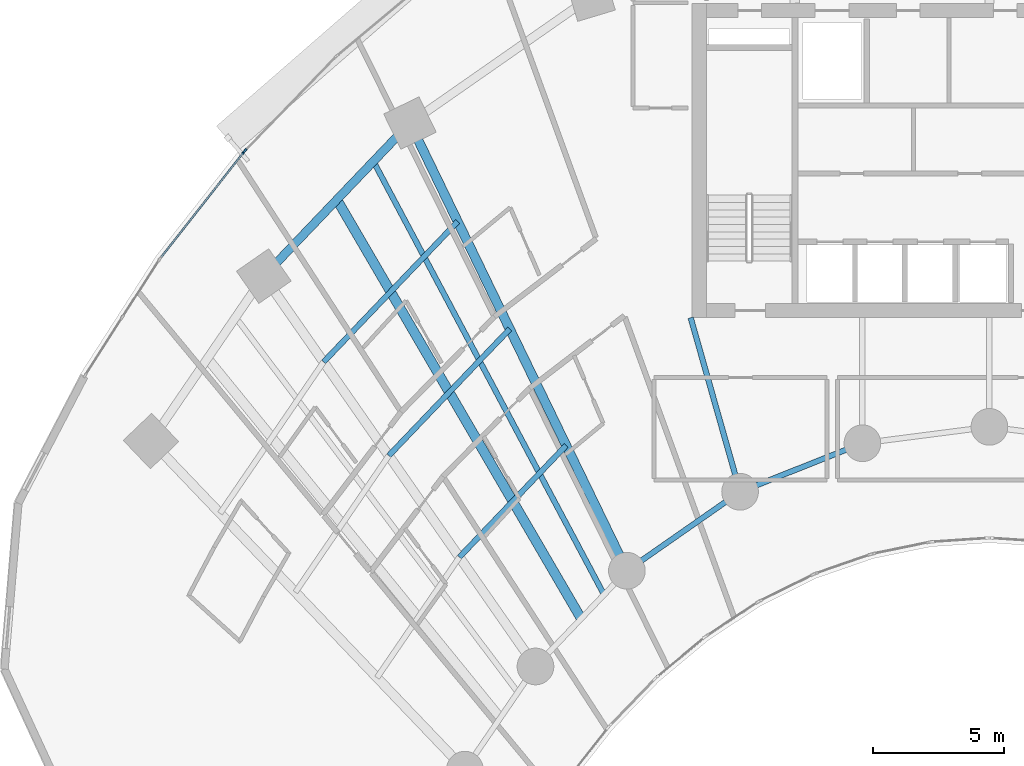
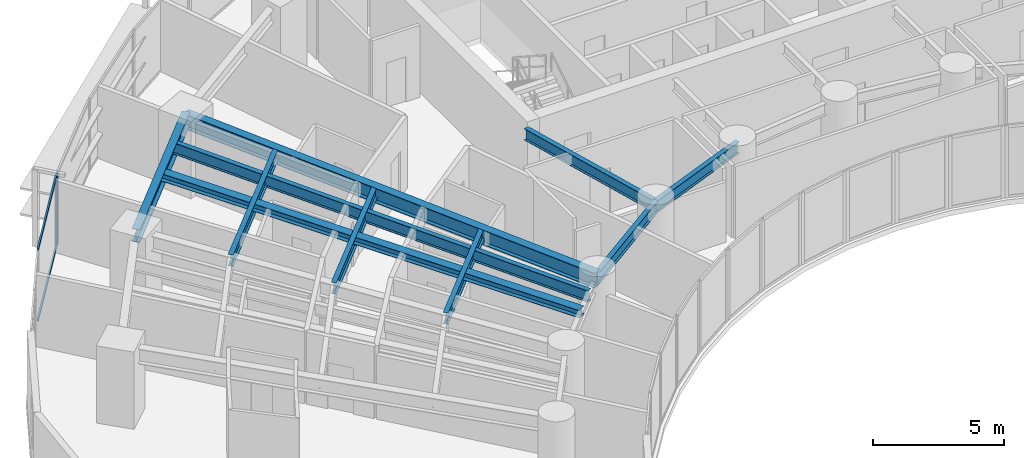
# One storey, part 3 of 18: 10 beams, 4 members, 2 elements without a shape of their own.
"""IFC4 building model written with IfcOpenShell, lengths in metres."""

import ifcopenshell
import ifcopenshell.guid

model = None  # the IFC model being written
_history = None  # IfcOwnerHistory: only IFC2X3 demands one
_inside = {}  # id of a spatial element -> (the spatial element, [elements in it])
_under = {}  # id of a project, library or spatial element -> (it, [spatial elements below it])
_declared = {}  # id of a project -> (the project, [libraries it declares])
_typed = {}  # id of a type object -> (the type object, [elements of that type])
_made_of = {}  # id of a material, layer set ... -> (it, [elements and type objects made of it])


def new_model(schema):
    """Start an empty IFC model of exactly this schema.

    Asked for "IFC4X3", IfcOpenShell would pick the latest addendum, in which some entities
    have other attributes; the version numbers below select the first issue.
    IFC2X3 requires an IfcOwnerHistory on every rooted entity: one is made here for all.
    """
    global model, _history
    if schema == "IFC4X3":
        model = ifcopenshell.file(schema_version=(4, 3, 0, 0))
    else:
        model = ifcopenshell.file(schema=schema)
    _inside.clear()
    _under.clear()
    _declared.clear()
    _typed.clear()
    _made_of.clear()
    _history = None
    if model.schema == "IFC2X3":
        org = make("IfcOrganization", Name="unknown")
        user = make(
            "IfcPersonAndOrganization",
            ThePerson=make("IfcPerson", FamilyName="unknown"),
            TheOrganization=org,
        )
        app = make(
            "IfcApplication",
            ApplicationDeveloper=org,
            Version="unknown",
            ApplicationFullName="unknown",
            ApplicationIdentifier="unknown",
        )
        _history = make(
            "IfcOwnerHistory",
            OwningUser=user,
            OwningApplication=app,
            ChangeAction="ADDED",
            CreationDate=0,
        )
    return model


def make(cls, **values):
    """One entity of the class cls with the attributes given. An attribute that is None is left unset."""
    return model.create_entity(
        cls, **{name: value for name, value in values.items() if value is not None}
    )


def rooted(cls, **values):
    """An entity with a GlobalId (a new one), such as an element, a storey or a relation."""
    return make(cls, GlobalId=ifcopenshell.guid.new(), OwnerHistory=_history, **values)


def si_unit(unit_type, name, prefix=None):
    """IfcSIUnit, for example si_unit("LENGTHUNIT", "METRE", prefix="MILLI")."""
    return make("IfcSIUnit", UnitType=unit_type, Prefix=prefix, Name=name)


def assignment(units):
    """IfcUnitAssignment: the units of a project."""
    return None if units is None else make("IfcUnitAssignment", Units=units)


def point(xyz):
    """IfcCartesianPoint."""
    return None if xyz is None else make("IfcCartesianPoint", Coordinates=xyz)


def direction(xyz):
    """IfcDirection."""
    return None if xyz is None else make("IfcDirection", DirectionRatios=xyz)


def frame(location, z_axis=None, x_axis=None):
    """IfcAxis2Placement3D, a coordinate frame: its origin and axes. An axis left out is left unset."""
    return make(
        "IfcAxis2Placement3D",
        Location=point(location),
        Axis=direction(z_axis),
        RefDirection=direction(x_axis),
    )


def frame_2d(location, x_axis=None):
    """IfcAxis2Placement2D, a coordinate frame in the plane: its origin and x axis."""
    return make(
        "IfcAxis2Placement2D", Location=point(location), RefDirection=direction(x_axis)
    )


def origin():
    """The frame at (0, 0, 0) with its axes left unset."""
    return frame((0.0, 0.0, 0.0))


def origin_2d():
    """The frame at (0, 0) in the plane with its x axis left unset."""
    return frame_2d((0.0, 0.0))


def place(relative_to, where):
    """IfcLocalPlacement: puts the frame where relative to a parent placement (None: the world)."""
    return make(
        "IfcLocalPlacement", PlacementRelTo=relative_to, RelativePlacement=where
    )


def context(
    kind, dimensions, precision=None, world=None, true_north=None, identifier=None
):
    """IfcGeometricRepresentationContext, for example the 3D "Model" context."""
    return make(
        "IfcGeometricRepresentationContext",
        ContextIdentifier=identifier,
        ContextType=kind,
        CoordinateSpaceDimension=dimensions,
        Precision=precision,
        WorldCoordinateSystem=world,
        TrueNorth=true_north,
    )


def subcontext(parent, identifier, kind, view, scale=None):
    """IfcGeometricRepresentationSubContext, for example "Body" below "Model"."""
    return make(
        "IfcGeometricRepresentationSubContext",
        ContextIdentifier=identifier,
        ContextType=kind,
        ParentContext=parent,
        TargetScale=scale,
        TargetView=view,
    )


def project(units=None, contexts=None):
    """IfcProject with its units and contexts."""
    return rooted(
        "IfcProject",
        Name="project",
        RepresentationContexts=contexts,
        UnitsInContext=assignment(units),
    )


def spatial(cls, under=None, at=None, **own):
    """A site, building, storey or space (cls), placed at a placement, below another one or the project."""
    s = rooted(cls, ObjectPlacement=at, **own)
    if under is not None:
        _under.setdefault(under.id(), (under, []))[1].append(s)
    return s


def profile(cls, at=None, kind="AREA", **sizes):
    """A parametric profile (cls). Its sizes go by their IFC names, for example OverallWidth=200.0."""
    return make(cls, ProfileType=kind, Position=at, **sizes)


def rectangle(**sizes):
    """IfcRectangleProfileDef."""
    return profile("IfcRectangleProfileDef", **sizes)


def i_section(**sizes):
    """IfcIShapeProfileDef."""
    return profile("IfcIShapeProfileDef", **sizes)


def extrude(swept, where, along, depth):
    """IfcExtrudedAreaSolid: the profile swept, set in the frame where, extruded along a direction by depth."""
    return make(
        "IfcExtrudedAreaSolid",
        SweptArea=swept,
        Position=where,
        ExtrudedDirection=direction(along),
        Depth=depth,
    )


def shape(context_of_items, identifier, shape_type, items):
    """IfcShapeRepresentation: the items that make up one representation, for example the "Body"."""
    return make(
        "IfcShapeRepresentation",
        ContextOfItems=context_of_items,
        RepresentationIdentifier=identifier,
        RepresentationType=shape_type,
        Items=items,
    )


def source(mapping_origin, context_of_items, identifier, shape_type, items):
    """IfcRepresentationMap: a shape defined once, which mapped items show again and again."""
    return make(
        "IfcRepresentationMap",
        MappingOrigin=mapping_origin,
        MappedRepresentation=shape(context_of_items, identifier, shape_type, items),
    )


def transform(
    local_origin,
    x_axis=None,
    y_axis=None,
    z_axis=None,
    scale=None,
    scale2=None,
    scale3=None,
    uniform=True,
):
    """IfcCartesianTransformationOperator3D, or its non-uniform kind. x_axis, y_axis, z_axis: its Axis1, 2, 3."""
    if uniform:
        return make(
            "IfcCartesianTransformationOperator3D",
            Axis1=direction(x_axis),
            Axis2=direction(y_axis),
            LocalOrigin=point(local_origin),
            Scale=scale,
            Axis3=direction(z_axis),
        )
    return make(
        "IfcCartesianTransformationOperator3DnonUniform",
        Axis1=direction(x_axis),
        Axis2=direction(y_axis),
        LocalOrigin=point(local_origin),
        Scale=scale,
        Axis3=direction(z_axis),
        Scale2=scale2,
        Scale3=scale3,
    )


def mapped(mapping_source, mapping_target):
    """IfcMappedItem: shows the shape of a source again, moved by a transform."""
    return make(
        "IfcMappedItem", MappingSource=mapping_source, MappingTarget=mapping_target
    )


def material(Name=None, Category=None):
    """IfcMaterial."""
    return make("IfcMaterial", Name=Name, Category=Category)


def layer(
    of_material, thickness, ventilated=None, Name=None, Category=None, Priority=None
):
    """IfcMaterialLayer: one layer of a wall or slab, of a material (None: an air gap)."""
    return make(
        "IfcMaterialLayer",
        Material=of_material,
        LayerThickness=thickness,
        IsVentilated=ventilated,
        Name=Name,
        Category=Category,
        Priority=Priority,
    )


def layer_set(layers, Name=None):
    """IfcMaterialLayerSet."""
    return make("IfcMaterialLayerSet", MaterialLayers=layers, LayerSetName=Name)


def material_profile(
    of_material, cross_section, Name=None, Category=None, Priority=None
):
    """IfcMaterialProfile: a cross section and its material."""
    return make(
        "IfcMaterialProfile",
        Name=Name,
        Material=of_material,
        Profile=cross_section,
        Priority=Priority,
        Category=Category,
    )


def profile_set(profiles, Name=None, composite=None):
    """IfcMaterialProfileSet."""
    return make(
        "IfcMaterialProfileSet",
        Name=Name,
        MaterialProfiles=profiles,
        CompositeProfile=composite,
    )


def made_of(thing, what):
    """Note that an element or type object is made of a material, layer set ...; save() writes the relation."""
    if what is not None:
        _made_of.setdefault(what.id(), (what, []))[1].append(thing)
    return thing


def type_object(cls, material=None, **own):
    """A type object (cls), such as IfcWallType, which elements share."""
    return made_of(rooted(cls, **own), material)


def type_shapes(of_type, sources):
    """Give a type object the sources (RepresentationMaps) that its elements show as mapped items."""
    of_type.RepresentationMaps = sources


def element(
    cls,
    number,
    at=None,
    inside=None,
    cuts=None,
    type_object=None,
    material=None,
    context=None,
    identifier="Body",
    shape_type=None,
    held_by="IfcProductDefinitionShape",
    body=None,
    shapes=None,
    **own,
):
    """One element of the class cls, such as IfcWall. Its Tag is "e" and its number.

    at: its placement. inside: the storey or other place that contains it. cuts: it is an
    opening in that element (IfcRelVoidsElement). A single representation is given by context,
    identifier, shape_type and body (its items); several are given by shapes. held_by: the class
    of the entity that holds the representations. save() writes the other relations.
    """
    e = rooted(cls, Tag="e%d" % number, ObjectPlacement=at, **own)
    if body is not None:
        shapes = [shape(context, identifier, shape_type, body)]
    if shapes is not None:
        e.Representation = make(held_by, Representations=shapes)
    if inside is not None:
        _inside.setdefault(inside.id(), (inside, []))[1].append(e)
    if cuts is not None:
        rooted(
            "IfcRelVoidsElement", RelatingBuildingElement=cuts, RelatedOpeningElement=e
        )
    if type_object is not None:
        _typed.setdefault(type_object.id(), (type_object, []))[1].append(e)
    return made_of(e, material)


def aggregate(whole, parts):
    """IfcRelAggregates: a whole, such as a stair, and the parts it consists of."""
    return rooted("IfcRelAggregates", RelatingObject=whole, RelatedObjects=parts)


def save(model, path):
    """Write the relations noted so far, then the file.

    IfcRelAggregates (storeys below a building ...), IfcRelContainedInSpatialStructure (elements
    in a storey), IfcRelDefinesByType, IfcRelAssociatesMaterial and IfcRelDeclares: one each for
    every whole, place, type object, material and project.
    """
    for whole, parts in _under.values():
        aggregate(whole, parts)
    for where, things in _inside.values():
        rooted(
            "IfcRelContainedInSpatialStructure",
            RelatedElements=things,
            RelatingStructure=where,
        )
    for kind, things in _typed.values():
        rooted("IfcRelDefinesByType", RelatedObjects=things, RelatingType=kind)
    for what, things in _made_of.values():
        rooted("IfcRelAssociatesMaterial", RelatedObjects=things, RelatingMaterial=what)
    for by, libraries in _declared.values():
        rooted("IfcRelDeclares", RelatingContext=by, RelatedDefinitions=libraries)
    model.write(path)


model = new_model("IFC4")

# Units and contexts
model_context = context("Model", 3, precision=1e-05, world=origin(), true_north=direction((0.0, 1.0)))
body_context = subcontext(model_context, "Body", "Model", "MODEL_VIEW")
ifc_project = project(units=[si_unit("LENGTHUNIT", "METRE"), si_unit("AREAUNIT", "SQUARE_METRE"), si_unit("VOLUMEUNIT", "CUBIC_METRE"), si_unit("PLANEANGLEUNIT", "RADIAN"), si_unit("MASSUNIT", "GRAM", prefix="KILO")], contexts=[model_context])

# Site, building, storey
site_placement = place(None, origin())
site = spatial("IfcSite", under=ifc_project, at=site_placement, CompositionType="ELEMENT")
building_placement = place(site_placement, origin())
building = spatial("IfcBuilding", under=site, at=building_placement, Name="Breltana Convention Tower", CompositionType="ELEMENT")
storey_placement = place(building_placement, frame((0.0, 0.0, 42.60009765625)))
storey = spatial("IfcBuildingStorey", under=building, at=storey_placement, Name="L08", CompositionType="ELEMENT", Elevation=42.60009765625)

# Beams
ifc_material_1 = material(Name="Steel ASTM A992 Grade 50", Category="steel")
ifc_material_profile_1 = material_profile(ifc_material_1, i_section(OverallWidth=0.323974609375, OverallDepth=0.611083984375, WebThickness=0.0126953125, FlangeThickness=0.01904296875, at=origin_2d()), Name="W24X104")
ifc_profile_set_1 = profile_set([ifc_material_profile_1], Name="Steel ASTM A992 Grade 50")
beam_type_1 = type_object("IfcBeamType", Name="BM-SP-W24X104", PredefinedType="SPANDREL", material=ifc_profile_set_1)
shared_shape_1 = source(origin(), body_context, "Body", "SweptSolid", [
    extrude(i_section(OverallWidth=0.323974609375, OverallDepth=0.611083984375, WebThickness=0.0126953125, FlangeThickness=0.01904296875, at=origin_2d()), origin(), (0.0, 0.0, 1.0), 8.073974609375),
])
beam_1_placement = place(storey_placement, frame((20.310791015625, 61.78857421875, 3.054443359375), z_axis=(0.69072885448, 0.723113856588, 0.0), x_axis=(-0.723113856588, 0.69072885448, 0.0)))
element("IfcBeam", 1, at=beam_1_placement, inside=storey, type_object=beam_type_1, Name="L08 Outer Spandrel Beam 02", PredefinedType="SPANDREL", context=body_context, shape_type="MappedRepresentation", body=[
    mapped(shared_shape_1, transform((0.0, 0.0, 0.0), scale=1.0)),
])
ifc_material_profile_2 = material_profile(ifc_material_1, i_section(OverallWidth=0.35498046875, OverallDepth=0.696044921875, WebThickness=0.015380859375, FlangeThickness=0.02490234375, at=origin_2d()), Name="W27X146")
ifc_profile_set_2 = profile_set([ifc_material_profile_2], Name="Steel ASTM A992 Grade 50")
beam_type_2 = type_object("IfcBeamType", Name="BM-RG-W27X146", PredefinedType="USERDEFINED", material=ifc_profile_set_2)
shared_shape_2 = source(origin(), body_context, "Body", "SweptSolid", [
    extrude(i_section(OverallWidth=0.35498046875, OverallDepth=0.696044921875, WebThickness=0.015380859375, FlangeThickness=0.02490234375, at=origin_2d()), origin(), (0.0, 0.0, 1.0), 18.982421875),
])
beam_2_placement = place(storey_placement, frame((34.166259765625, 50.544921875, 3.011962890625), z_axis=(-0.436118560343, 0.89988921614, 0.0), x_axis=(-0.89988921614, -0.436118560343, 0.0)))
element("IfcBeam", 2, at=beam_2_placement, inside=storey, type_object=beam_type_2, Name="L08 Radial Floor Girder R03", ObjectType="GIRDER", PredefinedType="USERDEFINED", context=body_context, shape_type="MappedRepresentation", body=[
    mapped(shared_shape_2, transform((0.0, 0.0, 0.0), scale=1.0)),
])
ifc_material_profile_3 = material_profile(ifc_material_1, i_section(OverallWidth=0.2099609375, OverallDepth=0.537109375, WebThickness=0.010986328125, FlangeThickness=0.017333984375, at=origin_2d()), Name="W21X68")
ifc_profile_set_3 = profile_set([ifc_material_profile_3], Name="Steel ASTM A992 Grade 50")
beam_type_3 = type_object("IfcBeamType", Name="BM-BM-W21X68", PredefinedType="BEAM", material=ifc_profile_set_3)
shared_shape_3 = source(origin(), body_context, "Body", "SweptSolid", [
    extrude(i_section(OverallWidth=0.2099609375, OverallDepth=0.537109375, WebThickness=0.010986328125, FlangeThickness=0.017333984375, at=origin_2d()), origin(), (0.0, 0.0, 1.0), 6.904541015625),
])
type_shapes(beam_type_3, [shared_shape_3])
beam_3_placement = place(storey_placement, frame((36.60009765625, 60.199951171875, 3.09130859375), z_axis=(0.273006781054, -0.962012108811, 0.0), x_axis=(0.962012108811, 0.273006781054, 0.0)))
element("IfcBeam", 3, at=beam_3_placement, inside=storey, type_object=beam_type_3, Name="L08 South Core Tie Girder R04", PredefinedType="BEAM", context=body_context, shape_type="MappedRepresentation", body=[
    mapped(shared_shape_3, transform((0.0, 0.0, 0.0), scale=1.0)),
])
shared_shape_4 = source(origin(), body_context, "Body", "SweptSolid", [
    extrude(i_section(OverallWidth=0.2099609375, OverallDepth=0.537109375, WebThickness=0.010986328125, FlangeThickness=0.017333984375, at=origin_2d()), origin(), (0.0, 0.0, 1.0), 5.265869140625),
])
beam_4_placement = place(storey_placement, frame((34.166259765625, 50.544921875, 3.09130859375), z_axis=(0.820167429517, 0.572123577176, 0.0), x_axis=(-0.572123577176, 0.820167429517, 0.0)))
element("IfcBeam", 4, at=beam_4_placement, inside=storey, type_object=beam_type_3, Name="L08 Inner Ring Beam 03", PredefinedType="BEAM", context=body_context, shape_type="MappedRepresentation", body=[
    mapped(shared_shape_4, transform((0.0, 0.0, 0.0), scale=1.0)),
])
shared_shape_5 = source(origin(), body_context, "Body", "SweptSolid", [
    extrude(i_section(OverallWidth=0.2099609375, OverallDepth=0.537109375, WebThickness=0.010986328125, FlangeThickness=0.017333984375, at=origin_2d()), origin(), (0.0, 0.0, 1.0), 5.022705078125),
])
beam_5_placement = place(storey_placement, frame((38.485107421875, 53.5576171875, 3.09130859375), z_axis=(0.929458966248, 0.368925507469, 0.0), x_axis=(-0.368925507469, 0.929458966248, 0.0)))
element("IfcBeam", 5, at=beam_5_placement, inside=storey, type_object=beam_type_3, Name="L08 Inner Ring Beam 04", PredefinedType="BEAM", context=body_context, shape_type="MappedRepresentation", body=[
    mapped(shared_shape_5, transform((0.0, 0.0, 0.0), scale=1.0)),
])
ifc_material_profile_4 = material_profile(ifc_material_1, i_section(OverallWidth=0.2099609375, OverallDepth=0.537109375, WebThickness=0.010986328125, FlangeThickness=0.017333984375, at=origin_2d()), Name="W21X68")
ifc_profile_set_4 = profile_set([ifc_material_profile_4], Name="Steel ASTM A992 Grade 50")
beam_type_4 = type_object("IfcBeamType", Name="BM-JSG-04", PredefinedType="JOIST", material=ifc_profile_set_4)
shared_shape_6 = source(origin(), body_context, "Body", "SweptSolid", [
    extrude(i_section(OverallWidth=0.2099609375, OverallDepth=0.537109375, WebThickness=0.010986328125, FlangeThickness=0.017333984375, at=origin_2d()), origin(), (0.0, 0.0, 1.0), 5.8974609375),
])
beam_6_placement = place(storey_placement, frame((27.774658203125, 51.063232421875, 3.09130859375), z_axis=(0.690713978666, 0.723128065888, 0.0), x_axis=(-0.723128065888, 0.690713978666, 0.0)))
element("IfcBeam", 6, at=beam_6_placement, inside=storey, type_object=beam_type_4, Name="L08 Composite Floor Joist 02.1", PredefinedType="JOIST", context=body_context, shape_type="MappedRepresentation", body=[
    mapped(shared_shape_6, transform((0.0, 0.0, 0.0), scale=1.0)),
])
shared_shape_7 = source(origin(), body_context, "Body", "SweptSolid", [
    extrude(i_section(OverallWidth=0.2099609375, OverallDepth=0.537109375, WebThickness=0.010986328125, FlangeThickness=0.017333984375, at=origin_2d()), origin(), (0.0, 0.0, 1.0), 6.68359375),
])
beam_7_placement = place(storey_placement, frame((25.079345703125, 54.936279296875, 3.09130859375), z_axis=(0.690720705885, 0.723121640156, 0.0), x_axis=(-0.723121640156, 0.690720705885, 0.0)))
element("IfcBeam", 7, at=beam_7_placement, inside=storey, type_object=beam_type_4, Name="L08 Composite Floor Joist 02.2", PredefinedType="JOIST", context=body_context, shape_type="MappedRepresentation", body=[
    mapped(shared_shape_7, transform((0.0, 0.0, 0.0), scale=1.0)),
])
shared_shape_8 = source(origin(), body_context, "Body", "SweptSolid", [
    extrude(i_section(OverallWidth=0.2099609375, OverallDepth=0.537109375, WebThickness=0.010986328125, FlangeThickness=0.017333984375, at=origin_2d()), origin(), (0.0, 0.0, 1.0), 7.40869140625),
])
beam_8_placement = place(storey_placement, frame((22.591552734375, 58.511474609375, 3.09130859375), z_axis=(0.690724936208, 0.723117599358, 0.0), x_axis=(-0.723117599358, 0.690724936208, 0.0)))
element("IfcBeam", 8, at=beam_8_placement, inside=storey, type_object=beam_type_4, Name="L08 Composite Floor Joist 02.3", PredefinedType="JOIST", context=body_context, shape_type="MappedRepresentation", body=[
    mapped(shared_shape_8, transform((0.0, 0.0, 0.0), scale=1.0)),
])
ifc_material_profile_5 = material_profile(ifc_material_1, i_section(OverallWidth=0.368896484375, OverallDepth=0.35595703125, WebThickness=0.01123046875, FlangeThickness=0.01806640625, at=origin_2d()), Name="W14X90")
ifc_profile_set_5 = profile_set([ifc_material_profile_5], Name="Steel ASTM A992 Grade 50")
beam_type_5 = type_object("IfcBeamType", Name="BM-JSG-09", PredefinedType="JOIST", material=ifc_profile_set_5)
shared_shape_9 = source(origin(), body_context, "Body", "SweptSolid", [
    extrude(i_section(OverallWidth=0.368896484375, OverallDepth=0.35595703125, WebThickness=0.01123046875, FlangeThickness=0.01806640625, at=origin_2d()), origin(), (0.0, 0.0, 1.0), 18.50830078125),
])
beam_9_placement = place(storey_placement, frame((32.421630859375, 48.71875, 3.181884765625), z_axis=(-0.50368319637, 0.863888440537, 0.0), x_axis=(-0.863888440537, -0.50368319637, 0.0)))
element("IfcBeam", 9, at=beam_9_placement, inside=storey, type_object=beam_type_5, Name="L08 Mid-Bay Radial Trimmer 02", PredefinedType="JOIST", context=body_context, shape_type="MappedRepresentation", body=[
    mapped(shared_shape_9, transform((0.0, 0.0, 0.0), scale=1.0)),
])
shared_shape_10 = source(origin(), body_context, "Body", "SweptSolid", [
    extrude(i_section(OverallWidth=0.2099609375, OverallDepth=0.537109375, WebThickness=0.010986328125, FlangeThickness=0.017333984375, at=origin_2d()), origin(), (0.0, 0.0, 1.0), 18.731689453125),
])
beam_10_placement = place(storey_placement, frame((33.2939453125, 49.6318359375, 3.09130859375), z_axis=(-0.469820250451, 0.882762104004, 0.0), x_axis=(-0.882762104004, -0.469820250451, 0.0)))
element("IfcBeam", 10, at=beam_10_placement, inside=storey, type_object=beam_type_4, Name="L08 Quarter-Bay Radial Trimmer 02", PredefinedType="JOIST", context=body_context, shape_type="MappedRepresentation", body=[
    mapped(shared_shape_10, transform((0.0, 0.0, 0.0), scale=1.0)),
])

# Curtain wall, members
ifc_material_2 = material(Name="Aluminium Anodised Bronze Frame", Category="aluminium")
ifc_layer = layer(ifc_material_2, 0.199951171875, Name="Aluminium Anodised Bronze Frame")
ifc_layer_set = layer_set([ifc_layer], Name="Aluminium Anodised Bronze Frame")
curtain_wall_type = type_object("IfcCurtainWallType", Name="CW-SYS-2", PredefinedType="NOTDEFINED", material=ifc_layer_set)
curtain_wall_1_placement = place(storey_placement, origin())
curtain_wall_1 = element("IfcCurtainWall", 11, at=curtain_wall_1_placement, inside=storey, type_object=curtain_wall_type, Name="L08 outer double-skin inner glazing 2", PredefinedType="NOTDEFINED")
ifc_material_3 = material(Name="Aluminium Anodised Bronze", Category="aluminium")
ifc_material_profile_6 = material_profile(ifc_material_3, rectangle(XDim=0.070068359375, YDim=0.1201171875, at=origin_2d()), Name="CWT-70X120")
ifc_profile_set_6 = profile_set([ifc_material_profile_6], Name="Aluminium Anodised Bronze")
member_type_1 = type_object("IfcMemberType", Name="CWT-120", PredefinedType="USERDEFINED", material=ifc_profile_set_6)
shared_shape_11 = source(origin(), body_context, "Body", "SweptSolid", [
    extrude(rectangle(XDim=0.070068359375, YDim=0.1201171875, at=origin_2d()), origin(), (0.0, 0.0, 1.0), 5.0546875),
])
member_1_placement = place(storey_placement, frame((16.39892578125, 62.51806640625, 0.034912109375), z_axis=(0.618135067667, 0.786071903913, 0.0), x_axis=(-0.786071903913, 0.618135067667, 0.0)))
member_1 = element("IfcMember", 12, at=member_1_placement, type_object=member_type_1, Name="CW-02 transom 1.1", ObjectType="TRANSOM", PredefinedType="USERDEFINED", context=body_context, shape_type="MappedRepresentation", body=[
    mapped(shared_shape_11, transform((0.0, 0.0, 0.0), scale=1.0)),
])
member_2_placement = place(storey_placement, frame((16.39892578125, 62.51806640625, 3.324951171875), z_axis=(0.618135067667, 0.786071903913, 0.0), x_axis=(-0.786071903913, 0.618135067667, 0.0)))
member_2 = element("IfcMember", 13, at=member_2_placement, type_object=member_type_1, Name="CW-02 transom 1.2", ObjectType="TRANSOM", PredefinedType="USERDEFINED", context=body_context, shape_type="MappedRepresentation", body=[
    mapped(shared_shape_11, transform((0.0, 0.0, 0.0), scale=1.0)),
])
ifc_material_profile_7 = material_profile(ifc_material_3, rectangle(XDim=0.070068359375, YDim=0.175048828125, at=origin_2d()), Name="CWM-70X175")
ifc_profile_set_7 = profile_set([ifc_material_profile_7], Name="Aluminium Anodised Bronze")
member_type_2 = type_object("IfcMemberType", Name="CWM-175", PredefinedType="MULLION", material=ifc_profile_set_7)
shared_shape_12 = source(origin(), body_context, "Body", "SweptSolid", [
    extrude(rectangle(XDim=0.070068359375, YDim=0.175048828125, at=origin_2d()), origin(), (0.0, 0.0, 1.0), 3.35986328125),
])
member_3_placement = place(storey_placement, frame((19.545166015625, 66.518798828125, 0.0), z_axis=(0.0, 0.0, 1.0), x_axis=(-0.786057080698, 0.618153917633, 0.0)))
member_3 = element("IfcMember", 14, at=member_3_placement, type_object=member_type_2, Name="CW-02 mullion 2", PredefinedType="MULLION", context=body_context, shape_type="MappedRepresentation", body=[
    mapped(shared_shape_12, transform((0.0, 0.0, 0.0), scale=1.0)),
])
aggregate(curtain_wall_1, [member_3, member_1, member_2])

# Curtain wall, member
curtain_wall_2_placement = place(storey_placement, origin())
curtain_wall_2 = element("IfcCurtainWall", 15, at=curtain_wall_2_placement, inside=storey, type_object=curtain_wall_type, Name="L08 outer double-skin inner glazing 3", PredefinedType="NOTDEFINED")
member_4_placement = place(storey_placement, frame((19.591064453125, 66.571533203125, 0.0), z_axis=(0.0, 0.0, 1.0), x_axis=(-0.719386421003, 0.694610090106, 0.0)))
member_4 = element("IfcMember", 16, at=member_4_placement, type_object=member_type_2, Name="CW-02 mullion 1", PredefinedType="MULLION", context=body_context, shape_type="MappedRepresentation", body=[
    mapped(shared_shape_12, transform((0.0, 0.0, 0.0), scale=1.0)),
])
aggregate(curtain_wall_2, [member_4])

save(model, "model.ifc")
